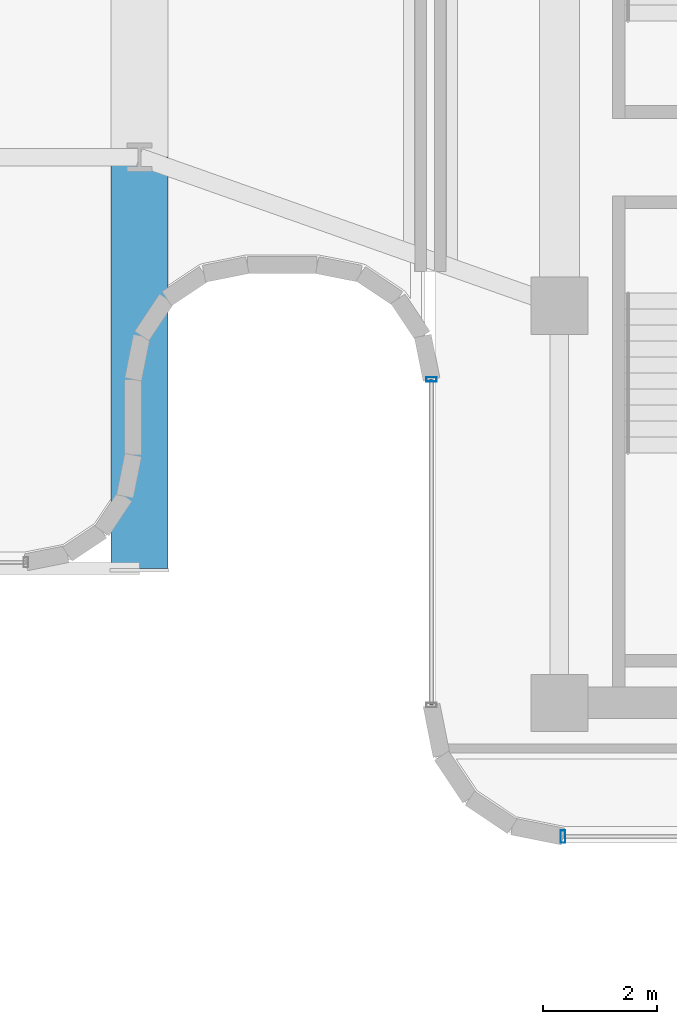
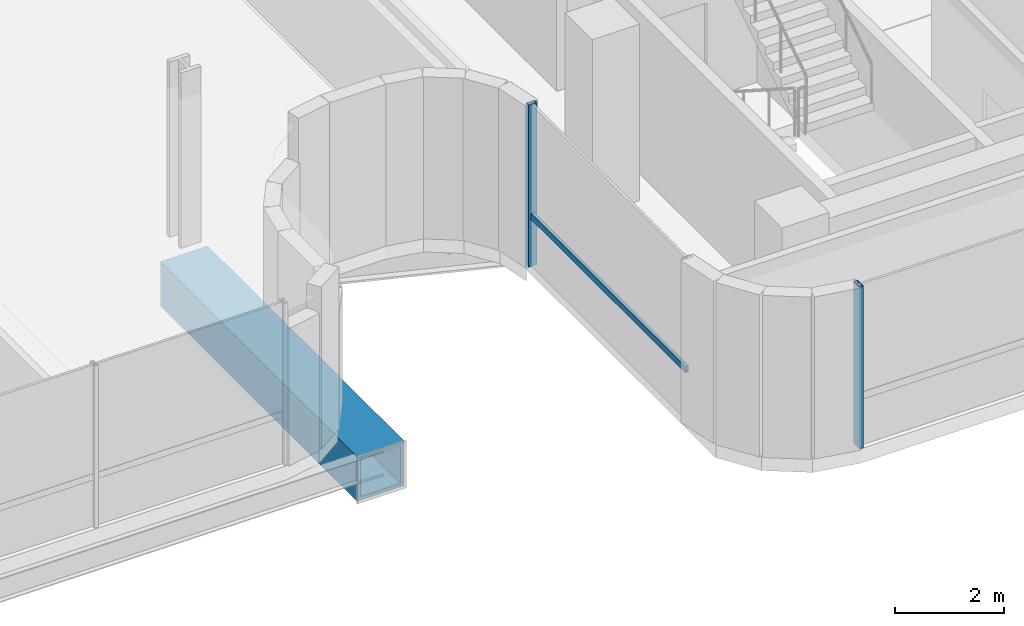
# One storey, part 11 of 38: 3 members, 1 beam, 2 elements without a shape of their own.
"""IFC4 building model written with IfcOpenShell, lengths in metres."""

from ifc_helpers import new_model, si_unit, direction, frame, origin, origin_2d, place, context, subcontext, project, spatial, hollow_rectangle, extrude, source, transform, mapped, material, material_profile, profile_set, type_object, element, aggregate, save


model = new_model("IFC4")

# Units and contexts
model_context = context("Model", 3, precision=1e-05, world=origin(), true_north=direction((0.0, 1.0)))
body_context = subcontext(model_context, "Body", "Model", "MODEL_VIEW")
ifc_project = project(units=[si_unit("LENGTHUNIT", "METRE"), si_unit("AREAUNIT", "SQUARE_METRE"), si_unit("VOLUMEUNIT", "CUBIC_METRE"), si_unit("PLANEANGLEUNIT", "RADIAN"), si_unit("MASSUNIT", "GRAM", prefix="KILO")], contexts=[model_context])

# Site, building, storey
site_placement = place(None, origin())
site = spatial("IfcSite", under=ifc_project, at=site_placement, CompositionType="ELEMENT")
building_placement = place(site_placement, origin())
building = spatial("IfcBuilding", under=site, at=building_placement, Name="Valdorenza Pilgrim Sanctuary Tower", CompositionType="ELEMENT")
storey_placement = place(building_placement, frame((0.0, 0.0, 180.5)))
storey = spatial("IfcBuildingStorey", under=building, at=storey_placement, Name="L46", CompositionType="ELEMENT", Elevation=180.5)

# Beam
ifc_material_1 = material(Name="Steel ASTM A572 Grade 42", Category="steel")
ifc_material_profile_1 = material_profile(ifc_material_1, hollow_rectangle(XDim=1.0, YDim=1.0, WallThickness=0.080078125, at=origin_2d()), Name="BOX 1000x1000x80")
ifc_profile_set_1 = profile_set([ifc_material_profile_1], Name="Steel ASTM A572 Grade 42")
beam_type = type_object("IfcBeamType", Name="STR-BM-PROW-CANT", PredefinedType="BEAM", material=ifc_profile_set_1)
shared_shape_1 = source(origin(), body_context, "Body", "SweptSolid", [
    extrude(hollow_rectangle(XDim=1.0, YDim=1.0, WallThickness=0.080078125, at=origin_2d()), origin(), (0.0, 0.0, 1.0), 7.199951171875),
])
beam_placement = place(storey_placement, frame((8.5, 0.0, -0.820068359375), z_axis=(0.0, -1.0, 0.0), x_axis=(1.0, 0.0, 0.0)))
element("IfcBeam", 1, at=beam_placement, inside=storey, type_object=beam_type, Name="L46 South Sanctuary Prow Cantilever PROW-CANT-S-E", PredefinedType="BEAM", context=body_context, shape_type="MappedRepresentation", body=[
    mapped(shared_shape_1, transform((0.0, 0.0, 0.0), x_axis=(1.0, 0.0, 0.0), y_axis=(0.0, 1.0, 0.0), z_axis=(0.0, 0.0, 1.0), scale=1.0)),
])

# Curtain wall, members
ifc_material_2 = material(Name="Curtain-wall IGU glazing", Category="glass")
curtain_wall_type_1 = type_object("IfcCurtainWallType", Name="CW-SYS-05", PredefinedType="NOTDEFINED", material=ifc_material_2)
curtain_wall_1_placement = place(storey_placement, origin())
curtain_wall_1 = element("IfcCurtainWall", 2, at=curtain_wall_1_placement, inside=storey, type_object=curtain_wall_type_1, Name="L46 Curtain Wall CW-L46-1-47", PredefinedType="NOTDEFINED")
ifc_material_3 = material(Name="Anodised aluminium AW-6060", Category="aluminium")
ifc_material_profile_2 = material_profile(ifc_material_3, hollow_rectangle(XDim=0.070068359375, YDim=0.139892578125, WallThickness=0.00341796875, at=origin_2d()), Name="ALU-T 140x70x3.5")
ifc_profile_set_2 = profile_set([ifc_material_profile_2], Name="Anodised aluminium AW-6060")
member_type_1 = type_object("IfcMemberType", Name="CW-TRN-05", PredefinedType="USERDEFINED", material=ifc_profile_set_2)
shared_shape_2 = source(origin(), body_context, "Body", "SweptSolid", [
    extrude(hollow_rectangle(XDim=0.070068359375, YDim=0.139892578125, WallThickness=0.00341796875, at=origin_2d()), origin(), (0.0, 0.0, 1.0), 5.699951171875),
])
member_1_placement = place(storey_placement, frame((13.610107421875, -9.589111328125, 1.1201171875), z_axis=(0.0, 1.0, 0.0), x_axis=(-1.0, 0.0, 0.0)))
member_1 = element("IfcMember", 3, at=member_1_placement, type_object=member_type_1, Name="CW-L46-1-47 Transom 1", ObjectType="TRANSOM", PredefinedType="USERDEFINED", context=body_context, shape_type="MappedRepresentation", body=[
    mapped(shared_shape_2, transform((0.0, 0.0, 0.0), x_axis=(1.0, 0.0, 0.0), y_axis=(0.0, 1.0, 0.0), z_axis=(0.0, 0.0, 1.0), scale=1.0)),
])
ifc_material_profile_3 = material_profile(ifc_material_3, hollow_rectangle(XDim=0.080078125, YDim=0.179931640625, WallThickness=0.00439453125, at=origin_2d()), Name="ALU-M 180x80x4.5")
ifc_profile_set_3 = profile_set([ifc_material_profile_3], Name="Anodised aluminium AW-6060")
member_type_2 = type_object("IfcMemberType", Name="CW-MUL-05", PredefinedType="MULLION", material=ifc_profile_set_3)
shared_shape_3 = source(origin(), body_context, "Body", "SweptSolid", [
    extrude(hollow_rectangle(XDim=0.080078125, YDim=0.179931640625, WallThickness=0.00439453125, at=origin_2d()), origin(), (0.0, 0.0, 1.0), 3.6298828125),
])
member_2_placement = place(storey_placement, frame((13.610107421875, -3.88916015625, 0.0), z_axis=(0.0, 0.0, 1.0), x_axis=(0.0, 1.0, 0.0)))
member_2 = element("IfcMember", 4, at=member_2_placement, type_object=member_type_2, Name="CW-L46-1-47 Mullion 2", PredefinedType="MULLION", context=body_context, shape_type="MappedRepresentation", body=[
    mapped(shared_shape_3, transform((0.0, 0.0, 0.0), x_axis=(1.0, 0.0, 0.0), y_axis=(0.0, 1.0, 0.0), z_axis=(0.0, 0.0, 1.0), scale=1.0)),
])
aggregate(curtain_wall_1, [member_2, member_1])

# Curtain wall, member
curtain_wall_type_2 = type_object("IfcCurtainWallType", Name="CW-SYS-03", PredefinedType="NOTDEFINED", material=ifc_material_2)
curtain_wall_2_placement = place(storey_placement, origin())
curtain_wall_2 = element("IfcCurtainWall", 5, at=curtain_wall_2_placement, inside=storey, type_object=curtain_wall_type_2, Name="L46 Curtain Wall CW-L46-1-42", PredefinedType="NOTDEFINED")
ifc_material_profile_4 = material_profile(ifc_material_3, hollow_rectangle(XDim=0.0849609375, YDim=0.219970703125, WallThickness=0.0048828125, at=origin_2d()), Name="ALU-M 220x85x5")
ifc_profile_set_4 = profile_set([ifc_material_profile_4], Name="Anodised aluminium AW-6060")
member_type_3 = type_object("IfcMemberType", Name="CW-MUL-03", PredefinedType="MULLION", material=ifc_profile_set_4)
shared_shape_4 = source(origin(), body_context, "Body", "SweptSolid", [
    extrude(hollow_rectangle(XDim=0.0849609375, YDim=0.219970703125, WallThickness=0.0048828125, at=origin_2d()), origin(), (0.0, 0.0, 1.0), 3.6298828125),
])
member_3_placement = place(storey_placement, frame((15.910888671875, -11.889892578125, 0.0), z_axis=(0.0, 0.0, 1.0), x_axis=(-1.0, 0.0, 0.0)))
member_3 = element("IfcMember", 6, at=member_3_placement, type_object=member_type_3, Name="CW-L46-1-42 Mullion 3", PredefinedType="MULLION", context=body_context, shape_type="MappedRepresentation", body=[
    mapped(shared_shape_4, transform((0.0, 0.0, 0.0), x_axis=(1.0, 0.0, 0.0), y_axis=(0.0, 1.0, 0.0), z_axis=(0.0, 0.0, 1.0), scale=1.0)),
])
aggregate(curtain_wall_2, [member_3])

save(model, "model.ifc")
